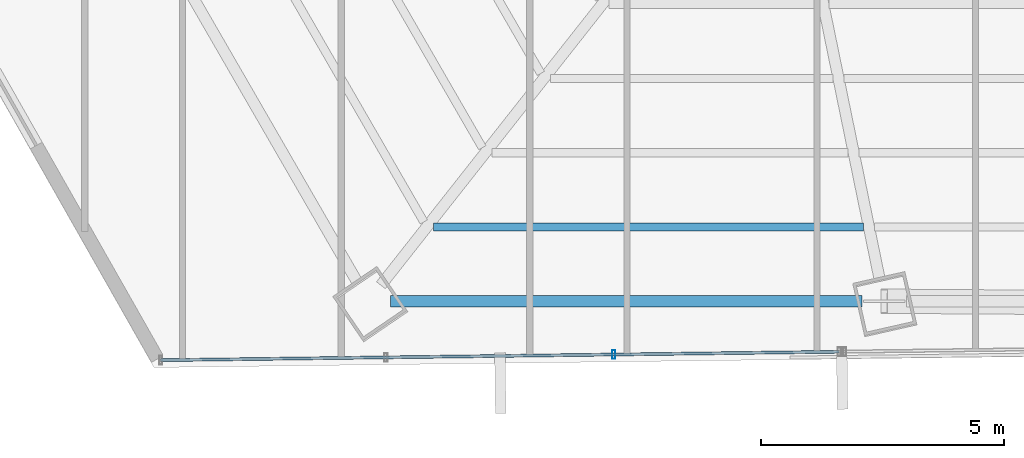
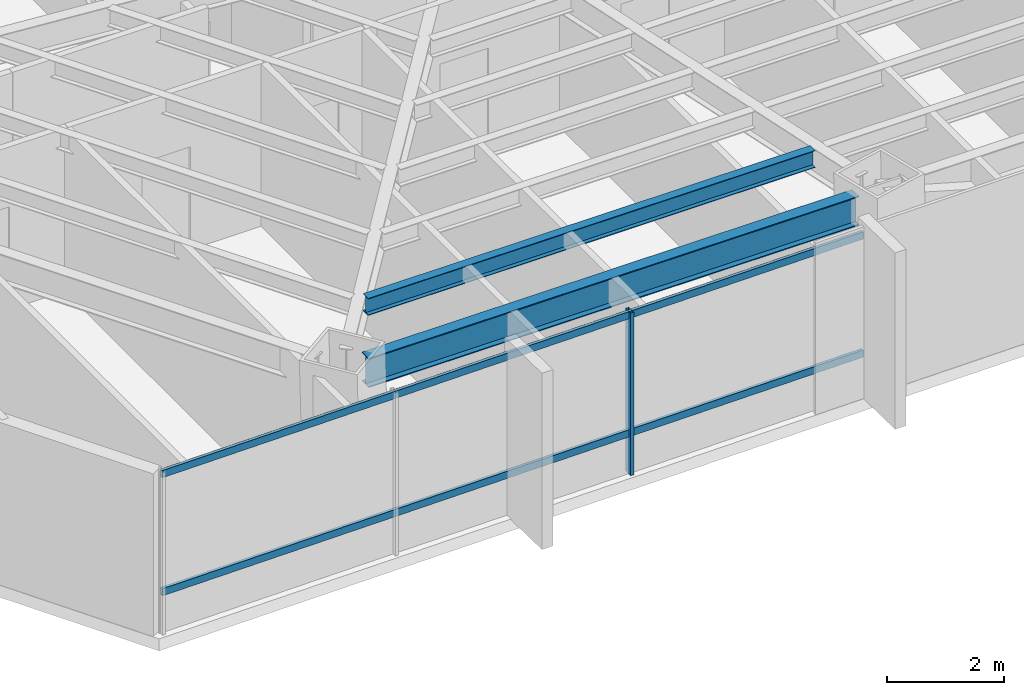
# One storey, part 5 of 37: 3 members, 2 beams, 1 element without a shape of its own.
"""IFC4 building model written with IfcOpenShell, lengths in metres."""

from ifc_helpers import new_model, si_unit, direction, frame, origin, origin_2d, place, context, subcontext, project, spatial, hollow_rectangle, i_section, extrude, source, transform, mapped, material, material_profile, profile_set, type_object, type_shapes, element, aggregate, save


model = new_model("IFC4")

# Units and contexts
model_context = context("Model", 3, precision=1e-05, world=origin(), true_north=direction((0.0, 1.0)))
body_context = subcontext(model_context, "Body", "Model", "MODEL_VIEW")
ifc_project = project(units=[si_unit("LENGTHUNIT", "METRE"), si_unit("AREAUNIT", "SQUARE_METRE"), si_unit("VOLUMEUNIT", "CUBIC_METRE"), si_unit("PLANEANGLEUNIT", "RADIAN"), si_unit("MASSUNIT", "GRAM", prefix="KILO")], contexts=[model_context])

# Site, building, storey
site_placement = place(None, origin())
site = spatial("IfcSite", under=ifc_project, at=site_placement, CompositionType="ELEMENT")
building_placement = place(site_placement, origin())
building = spatial("IfcBuilding", under=site, at=building_placement, Name="Caelisora Broadcast Tower", CompositionType="ELEMENT")
storey_placement = place(building_placement, frame((0.0, 0.0, 120.0)))
storey = spatial("IfcBuildingStorey", under=building, at=storey_placement, Name="L31", CompositionType="ELEMENT", Elevation=120.0)

# Beams
ifc_material_1 = material(Name="Steel Grade 350 (AS/NZS 3679.1)", Category="steel")
ifc_material_profile_1 = material_profile(ifc_material_1, i_section(OverallWidth=0.22900390625, OverallDepth=0.611572265625, WebThickness=0.011962890625, FlangeThickness=0.01953125, at=origin_2d()), Name="Steel Grade 350 (AS/NZS 3679.1)")
ifc_profile_set_1 = profile_set([ifc_material_profile_1], Name="Steel Grade 350 (AS/NZS 3679.1)")
beam_type_1 = type_object("IfcBeamType", Name="PG03", PredefinedType="BEAM", material=ifc_profile_set_1)
shared_shape_1 = source(origin(), body_context, "Body", "SweptSolid", [
    extrude(i_section(OverallWidth=0.22900390625, OverallDepth=0.611572265625, WebThickness=0.011962890625, FlangeThickness=0.01953125, at=origin_2d()), origin(), (0.0, 0.0, 1.0), 9.697265625),
])
type_shapes(beam_type_1, [shared_shape_1])
beam_1_placement = place(storey_placement, frame((22.533935546875, 6.702392578125, 3.09423828125), z_axis=(1.0, 0.0, 0.0), x_axis=(0.0, 1.0, 0.0)))
element("IfcBeam", 1, at=beam_1_placement, inside=storey, type_object=beam_type_1, Name="L31 beam PG03", PredefinedType="BEAM", context=body_context, shape_type="MappedRepresentation", body=[
    mapped(shared_shape_1, transform((0.0, 0.0, 0.0), scale=1.0)),
])
ifc_material_profile_2 = material_profile(ifc_material_1, i_section(OverallWidth=0.172119140625, OverallDepth=0.358642578125, WebThickness=0.008056640625, FlangeThickness=0.012939453125, at=origin_2d()), Name="Steel Grade 350 (AS/NZS 3679.1)")
ifc_profile_set_2 = profile_set([ifc_material_profile_2], Name="Steel Grade 350 (AS/NZS 3679.1)")
beam_type_2 = type_object("IfcBeamType", Name="SB02", PredefinedType="JOIST", material=ifc_profile_set_2)
shared_shape_2 = source(origin(), body_context, "Body", "SweptSolid", [
    extrude(i_section(OverallWidth=0.172119140625, OverallDepth=0.358642578125, WebThickness=0.008056640625, FlangeThickness=0.012939453125, at=origin_2d()), origin(), (0.0, 0.0, 1.0), 8.844970703125),
])
type_shapes(beam_type_2, [shared_shape_2])
beam_2_placement = place(storey_placement, frame((23.419921875, 8.230712890625, 3.220703125), z_axis=(1.0, 0.0, 0.0), x_axis=(0.0, 1.0, 0.0)))
element("IfcBeam", 2, at=beam_2_placement, inside=storey, type_object=beam_type_2, Name="L31 beam SB02", PredefinedType="JOIST", context=body_context, shape_type="MappedRepresentation", body=[
    mapped(shared_shape_2, transform((0.0, 0.0, 0.0), scale=1.0)),
])

# Curtain wall, members
ifc_material_2 = material(Name="Unitised Aluminium and Low-E Glass Curtain Wall", Category="glass")
curtain_wall_type = type_object("IfcCurtainWallType", Name="CW-Z2", PredefinedType="NOTDEFINED", material=ifc_material_2)
curtain_wall_placement = place(storey_placement, origin())
curtain_wall = element("IfcCurtainWall", 3, at=curtain_wall_placement, inside=storey, type_object=curtain_wall_type, Name="L31 curtain wall CW-Z2", PredefinedType="NOTDEFINED")
ifc_material_3 = material(Name="Aluminium 6063-T6 Anodised Terracotta Bronze", Category="aluminium")
ifc_material_profile_3 = material_profile(ifc_material_3, hollow_rectangle(XDim=0.06494140625, YDim=0.179931640625, WallThickness=0.00341796875, at=origin_2d()), Name="Aluminium 6063-T6 Anodised Terracotta Bronze")
ifc_profile_set_3 = profile_set([ifc_material_profile_3], Name="Aluminium 6063-T6 Anodised Terracotta Bronze")
member_type_1 = type_object("IfcMemberType", Name="CWM-02", PredefinedType="MULLION", material=ifc_profile_set_3)
shared_shape_3 = source(origin(), body_context, "Body", "SweptSolid", [
    extrude(hollow_rectangle(XDim=0.06494140625, YDim=0.179931640625, WallThickness=0.00341796875, at=origin_2d()), origin(), (0.0, 0.0, 1.0), 3.39990234375),
])
type_shapes(member_type_1, [shared_shape_3])
member_1_placement = place(storey_placement, frame((27.126220703125, 5.604736328125, 0.0), z_axis=(0.0, 0.0, 1.0), x_axis=(1.0, 0.0, 0.0)))
member_1 = element("IfcMember", 4, at=member_1_placement, type_object=member_type_1, Name="L31-CW-B07 mullion #1", PredefinedType="MULLION", context=body_context, shape_type="MappedRepresentation", body=[
    mapped(shared_shape_3, transform((0.0, 0.0, 0.0), scale=1.0)),
])
ifc_material_profile_4 = material_profile(ifc_material_3, hollow_rectangle(XDim=0.06005859375, YDim=0.14990234375, WallThickness=0.00341796875, at=origin_2d()), Name="Aluminium 6063-T6 Anodised Terracotta Bronze")
ifc_profile_set_4 = profile_set([ifc_material_profile_4], Name="Aluminium 6063-T6 Anodised Terracotta Bronze")
member_type_2 = type_object("IfcMemberType", Name="CWT-02", PredefinedType="USERDEFINED", material=ifc_profile_set_4)
shared_shape_4 = source(origin(), body_context, "Body", "SweptSolid", [
    extrude(hollow_rectangle(XDim=0.06005859375, YDim=0.14990234375, WallThickness=0.00341796875, at=origin_2d()), origin(), (0.0, 0.0, 1.0), 13.966552734375),
])
type_shapes(member_type_2, [shared_shape_4])
member_2_placement = place(storey_placement, frame((31.7646484375, 5.66259765625, 0.85009765625), z_axis=(-0.99992232865, -0.012463413113, 0.0), x_axis=(0.012463413113, -0.99992232865, 0.0)))
member_2 = element("IfcMember", 5, at=member_2_placement, type_object=member_type_2, Name="L31-CW-B07 transom #1", ObjectType="TRANSOM", PredefinedType="USERDEFINED", context=body_context, shape_type="MappedRepresentation", body=[
    mapped(shared_shape_4, transform((0.0, 0.0, 0.0), scale=1.0)),
])
member_3_placement = place(storey_placement, frame((31.7646484375, 5.66259765625, 3.320068359375), z_axis=(-0.99992232865, -0.012463413113, 0.0), x_axis=(0.012463413113, -0.99992232865, 0.0)))
member_3 = element("IfcMember", 6, at=member_3_placement, type_object=member_type_2, Name="L31-CW-B07 transom #2", ObjectType="TRANSOM", PredefinedType="USERDEFINED", context=body_context, shape_type="MappedRepresentation", body=[
    mapped(shared_shape_4, transform((0.0, 0.0, 0.0), scale=1.0)),
])
aggregate(curtain_wall, [member_1, member_2, member_3])

save(model, "model.ifc")
